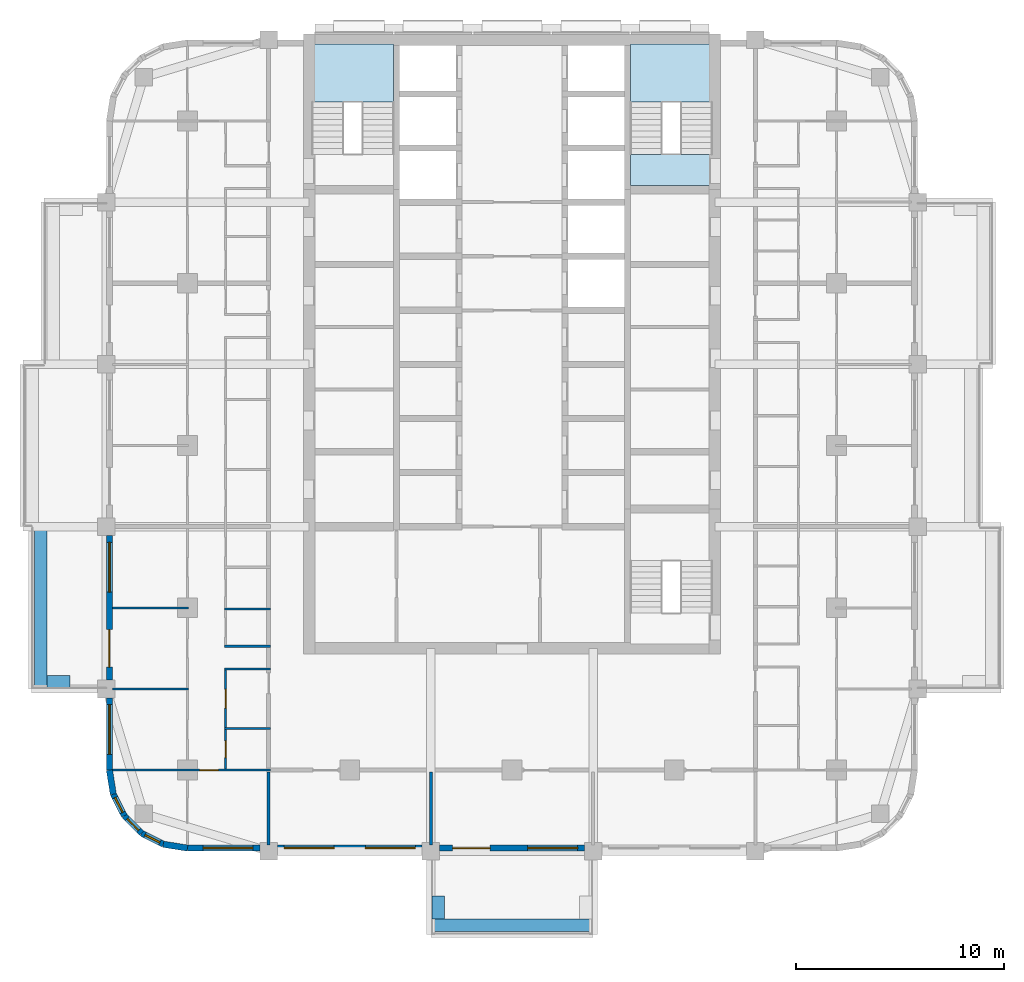
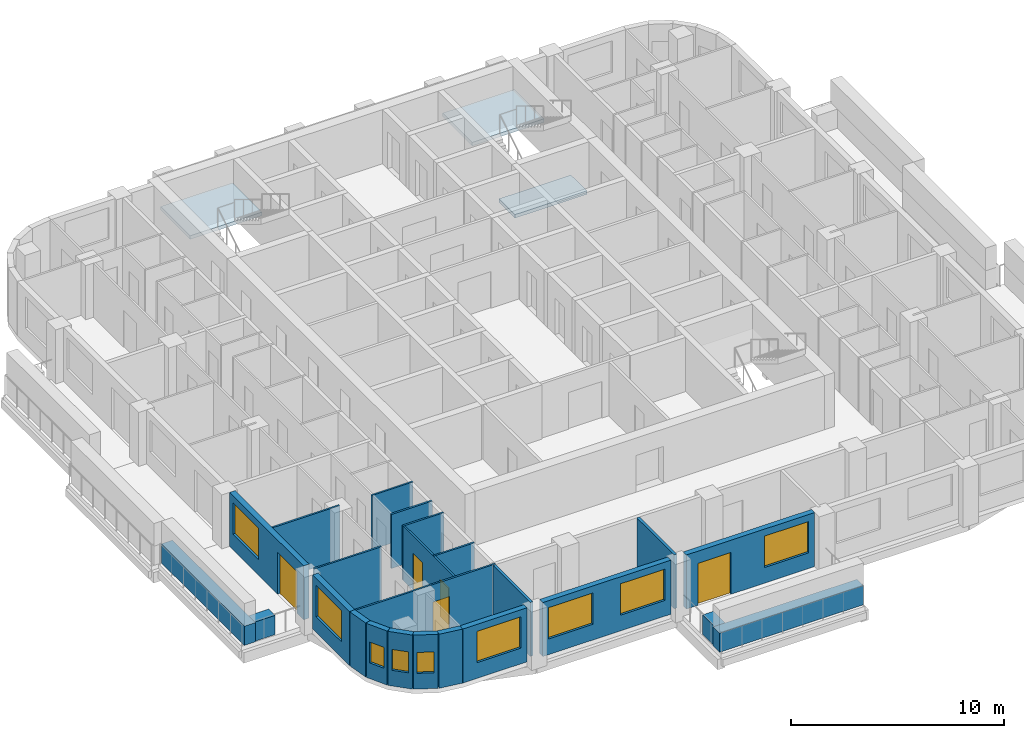
# One storey, part 2 of 14: 24 walls, 9 windows, 5 doors, 3 slabs, 14 openings, 2 elements without a shape of their own.
"""IFC4 building model written with IfcOpenShell, lengths in metres."""

from ifc_helpers import new_model, si_unit, direction, frame, frame_2d, origin, place, context, subcontext, project, spatial, polyline, rectangle, outline, extrude, material, layer, layer_set, type_object, element, fill, aggregate, save


model = new_model("IFC4")

# Units and contexts
model_context = context("Model", 3, precision=1e-05, world=origin(), true_north=direction((0.0, 1.0)))
body_context = subcontext(model_context, "Body", "Model", "MODEL_VIEW")
ifc_project = project(units=[si_unit("LENGTHUNIT", "METRE"), si_unit("AREAUNIT", "SQUARE_METRE"), si_unit("VOLUMEUNIT", "CUBIC_METRE"), si_unit("PLANEANGLEUNIT", "RADIAN"), si_unit("MASSUNIT", "GRAM", prefix="KILO")], contexts=[model_context])

# Site, building, storey
site_placement = place(None, origin())
site = spatial("IfcSite", under=ifc_project, at=site_placement, CompositionType="ELEMENT")
building_placement = place(site_placement, origin())
building = spatial("IfcBuilding", under=site, at=building_placement, Name="Ludao Terraces", CompositionType="ELEMENT")
storey_placement = place(building_placement, frame((0.0, 0.0, 140.699951171875)))
storey = spatial("IfcBuildingStorey", under=building, at=storey_placement, Name="L38", CompositionType="ELEMENT", Elevation=140.699951171875)

# Stair, slab
ifc_material_1 = material(Name="Concrete C40", Category="concrete")
stair_type = type_object("IfcStairType", Name="INT Stair", PredefinedType="HALF_TURN_STAIR", material=ifc_material_1)
stair_1_placement = place(storey_placement, origin())
stair_1 = element("IfcStair", 1, at=stair_1_placement, inside=storey, type_object=stair_type, Name="EXIT STAIR 1", PredefinedType="HALF_TURN_STAIR")
ifc_layer_1 = layer(ifc_material_1, 0.199951171875)
ifc_layer_set_1 = layer_set([ifc_layer_1], Name="INT Stair landing 200")
slab_type = type_object("IfcSlabType", Name="INT Stair landing 200", PredefinedType="LANDING", material=ifc_layer_set_1)
slab_1_placement = place(storey_placement, frame((0.0, 0.0, 1.5)))
slab_1 = element("IfcSlab", 2, at=slab_1_placement, type_object=slab_type, Name="ST1 landing 1", PredefinedType="LANDING", context=body_context, shape_type="SweptSolid", body=[
    extrude(outline(polyline([(75.39990234375, 81.52001953125), (79.300048828125, 81.52001953125), (79.300048828125, 84.300048828125), (75.39990234375, 84.300048828125), (75.39990234375, 81.52001953125)])), origin(), (0.0, 0.0, 1.0), 0.199951171875),
])
aggregate(stair_1, [slab_1])

# Stair, slabs
stair_2_placement = place(storey_placement, origin())
stair_2 = element("IfcStair", 3, at=stair_2_placement, inside=storey, type_object=stair_type, Name="EXIT STAIR 2", PredefinedType="HALF_TURN_STAIR")
slab_2_placement = place(storey_placement, frame((0.0, 0.0, 1.5)))
slab_2 = element("IfcSlab", 4, at=slab_2_placement, type_object=slab_type, Name="ST2 landing 1", PredefinedType="LANDING", context=body_context, shape_type="SweptSolid", body=[
    extrude(outline(polyline([(90.699951171875, 81.52001953125), (94.60009765625, 81.52001953125), (94.60009765625, 84.300048828125), (90.699951171875, 84.300048828125), (90.699951171875, 81.52001953125)])), origin(), (0.0, 0.0, 1.0), 0.199951171875),
])
slab_3_placement = place(storey_placement, frame((0.0, 0.0, -0.199951171875)))
slab_3 = element("IfcSlab", 5, at=slab_3_placement, type_object=slab_type, Name="ST2 landing 2", PredefinedType="LANDING", context=body_context, shape_type="SweptSolid", body=[
    extrude(outline(polyline([(90.699951171875, 77.5), (94.60009765625, 77.5), (94.60009765625, 79.0), (90.699951171875, 79.0), (90.699951171875, 77.5)])), origin(), (0.0, 0.0, 1.0), 0.199951171875),
])
aggregate(stair_2, [slab_2, slab_3])

# Walls
ifc_layer_2 = layer(ifc_material_1, 0.60009765625)
ifc_layer_set_2 = layer_set([ifc_layer_2], Name="ENV Planter trough 600")
wall_type_1 = type_object("IfcWallType", Name="ENV Planter trough 600", PredefinedType="USERDEFINED", material=ifc_layer_set_2)
wall_1_placement = place(storey_placement, frame((81.10009765625, 41.949951171875, 0.0), z_axis=(0.0, 0.0, 1.0), x_axis=(1.0, 0.0, 0.0)))
element("IfcWall", 6, at=wall_1_placement, inside=storey, type_object=wall_type_1, Name="PL-L38-S1", ObjectType="PLANTER", PredefinedType="USERDEFINED", context=body_context, shape_type="SweptSolid", body=[
    extrude(rectangle(XDim=7.7998046875, YDim=0.60009765625, at=frame_2d((3.89990234375, 0.0))), origin(), (0.0, 0.0, 1.0), 1.10009765625),
])
wall_2_placement = place(storey_placement, frame((81.449951171875, 42.25, 0.0), z_axis=(0.0, 0.0, 1.0), x_axis=(0.0, 1.0, 0.0)))
element("IfcWall", 7, at=wall_2_placement, inside=storey, type_object=wall_type_1, Name="PL-L38-S1-SA", ObjectType="PLANTER", PredefinedType="USERDEFINED", context=body_context, shape_type="SweptSolid", body=[
    extrude(rectangle(XDim=1.10009765625, YDim=0.60009765625, at=frame_2d((0.550048828125, 0.0))), origin(), (0.0, 0.0, 1.0), 1.10009765625),
])
wall_3_placement = place(storey_placement, frame((62.35009765625, 53.300048828125, 0.0), z_axis=(0.0, 0.0, 1.0), x_axis=(0.0, 1.0, 0.0)))
element("IfcWall", 8, at=wall_3_placement, inside=storey, type_object=wall_type_1, Name="PL-L38-W1", ObjectType="PLANTER", PredefinedType="USERDEFINED", context=body_context, shape_type="SweptSolid", body=[
    extrude(rectangle(XDim=7.800048828125, YDim=0.60009765625, at=frame_2d((3.89990234375, 0.0))), origin(), (0.0, 0.0, 1.0), 1.10009765625),
])
wall_4_placement = place(storey_placement, frame((62.64990234375, 53.64990234375, 0.0), z_axis=(0.0, 0.0, 1.0), x_axis=(1.0, 0.0, 0.0)))
element("IfcWall", 9, at=wall_4_placement, inside=storey, type_object=wall_type_1, Name="PL-L38-W1-SA", ObjectType="PLANTER", PredefinedType="USERDEFINED", context=body_context, shape_type="SweptSolid", body=[
    extrude(rectangle(XDim=1.10009765625, YDim=0.60009765625, at=frame_2d((0.550048828125, 0.0))), origin(), (0.0, 0.0, 1.0), 1.10009765625),
])

# Wall, opening, window
ifc_material_2 = material(Name="Granite cladding", Category="masonry")
ifc_layer_3 = layer(ifc_material_2, 0.0400390625, Category="stone")
ifc_material_3 = material(Name="Mineral wool")
ifc_layer_4 = layer(ifc_material_3, 0.06005859375)
ifc_layer_5 = layer(ifc_material_1, 0.199951171875, Category="concrete")
ifc_layer_set_3 = layer_set([ifc_layer_3, ifc_layer_4, ifc_layer_5], Name="ENV Stone-clad wall 300")
wall_type_2 = type_object("IfcWallType", Name="ENV Stone-clad wall 300", PredefinedType="SOLIDWALL", material=ifc_layer_set_3)
wall_5_placement = place(storey_placement, frame((69.39990234375, 45.64990234375, 0.0), z_axis=(0.0, 0.0, 1.0), x_axis=(1.0, 0.0, 0.0)))
wall_5 = element("IfcWall", 10, at=wall_5_placement, inside=storey, type_object=wall_type_2, Name="EW-L38-S1", PredefinedType="SOLIDWALL", context=body_context, shape_type="SweptSolid", body=[
    extrude(rectangle(XDim=3.47509765625, YDim=0.300048828125, at=frame_2d((1.737548828125, 0.0))), origin(), (0.0, 0.0, 1.0), 3.10009765625),
])
opening_1_placement = place(wall_5_placement, frame((0.75, 0.0, 0.89990234375)))
opening_1 = element("IfcOpeningElement", 11, at=opening_1_placement, cuts=wall_5, Name="Opening W1", PredefinedType="OPENING", context=body_context, shape_type="SweptSolid", body=[
    extrude(rectangle(XDim=2.39990234375, YDim=1.800048828125, at=frame_2d((1.199951171875, 0.89990234375))), frame((0.0, 0.16015625, 0.0), z_axis=(0.0, -1.0, 0.0), x_axis=(1.0, 0.0, 0.0)), (0.0, 0.0, 1.0), 0.320068359375),
])
ifc_material_4 = material(Name="Clear glass in aluminium frame", Category="aluminium")
ifc_layer_6 = layer(ifc_material_4, 0.06005859375)
ifc_layer_set_4 = layer_set([ifc_layer_6], Name="ENV Window W1 2400x1800")
window_type_1 = type_object("IfcWindowType", Name="ENV Window W1 2400x1800", PartitioningType="DOUBLE_PANEL_VERTICAL", PredefinedType="WINDOW", material=ifc_layer_set_4)
window_1_placement = place(opening_1_placement, origin())
window_1 = element("IfcWindow", 12, at=window_1_placement, inside=storey, type_object=window_type_1, Name="W-L38-S1-1", OverallHeight=1.800048828125, OverallWidth=2.39990234375, PartitioningType="DOUBLE_PANEL_VERTICAL", PredefinedType="WINDOW", context=body_context, shape_type="SweptSolid", body=[
    extrude(rectangle(XDim=2.39990234375, YDim=1.800048828125, at=frame_2d((1.199951171875, 0.89990234375))), frame((0.0, 0.030029296875, 0.0), z_axis=(0.0, -1.0, 0.0), x_axis=(1.0, 0.0, 0.0)), (0.0, 0.0, 1.0), 0.06005859375),
])
fill(opening_1, window_1)

# Wall, openings, windows
wall_6_placement = place(storey_placement, frame((73.72509765625, 45.64990234375, 0.0), z_axis=(0.0, 0.0, 1.0), x_axis=(1.0, 0.0, 0.0)))
wall_6 = element("IfcWall", 13, at=wall_6_placement, inside=storey, type_object=wall_type_2, Name="EW-L38-S2", PredefinedType="SOLIDWALL", context=body_context, shape_type="SweptSolid", body=[
    extrude(rectangle(XDim=6.949951171875, YDim=0.300048828125, at=frame_2d((3.47509765625, 0.0))), origin(), (0.0, 0.0, 1.0), 3.10009765625),
])
opening_2_placement = place(wall_6_placement, frame((0.324951171875, 0.0, 0.89990234375)))
opening_2 = element("IfcOpeningElement", 14, at=opening_2_placement, cuts=wall_6, Name="Opening W1", PredefinedType="OPENING", context=body_context, shape_type="SweptSolid", body=[
    extrude(rectangle(XDim=2.39990234375, YDim=1.800048828125, at=frame_2d((1.199951171875, 0.89990234375))), frame((0.0, 0.16015625, 0.0), z_axis=(0.0, -1.0, 0.0), x_axis=(1.0, 0.0, 0.0)), (0.0, 0.0, 1.0), 0.320068359375),
])
opening_3_placement = place(wall_6_placement, frame((4.22509765625, 0.0, 0.89990234375)))
opening_3 = element("IfcOpeningElement", 15, at=opening_3_placement, cuts=wall_6, Name="Opening W1", PredefinedType="OPENING", context=body_context, shape_type="SweptSolid", body=[
    extrude(rectangle(XDim=2.39990234375, YDim=1.800048828125, at=frame_2d((1.199951171875, 0.89990234375))), frame((0.0, 0.16015625, 0.0), z_axis=(0.0, -1.0, 0.0), x_axis=(1.0, 0.0, 0.0)), (0.0, 0.0, 1.0), 0.320068359375),
])
window_2_placement = place(opening_2_placement, origin())
window_2 = element("IfcWindow", 16, at=window_2_placement, inside=storey, type_object=window_type_1, Name="W-L38-S2-1", OverallHeight=1.800048828125, OverallWidth=2.39990234375, PartitioningType="DOUBLE_PANEL_VERTICAL", PredefinedType="WINDOW", context=body_context, shape_type="SweptSolid", body=[
    extrude(rectangle(XDim=2.39990234375, YDim=1.800048828125, at=frame_2d((1.199951171875, 0.89990234375))), frame((0.0, 0.030029296875, 0.0), z_axis=(0.0, -1.0, 0.0), x_axis=(1.0, 0.0, 0.0)), (0.0, 0.0, 1.0), 0.06005859375),
])
fill(opening_2, window_2)
window_3_placement = place(opening_3_placement, origin())
window_3 = element("IfcWindow", 17, at=window_3_placement, inside=storey, type_object=window_type_1, Name="W-L38-S2-2", OverallHeight=1.800048828125, OverallWidth=2.39990234375, PartitioningType="DOUBLE_PANEL_VERTICAL", PredefinedType="WINDOW", context=body_context, shape_type="SweptSolid", body=[
    extrude(rectangle(XDim=2.39990234375, YDim=1.800048828125, at=frame_2d((1.199951171875, 0.89990234375))), frame((0.0, 0.030029296875, 0.0), z_axis=(0.0, -1.0, 0.0), x_axis=(1.0, 0.0, 0.0)), (0.0, 0.0, 1.0), 0.06005859375),
])
fill(opening_3, window_3)

# Wall, openings, door, window
wall_7_placement = place(storey_placement, frame((81.52490234375, 45.64990234375, 0.0), z_axis=(0.0, 0.0, 1.0), x_axis=(1.0, 0.0, 0.0)))
wall_7 = element("IfcWall", 18, at=wall_7_placement, inside=storey, type_object=wall_type_2, Name="EW-L38-S3", PredefinedType="SOLIDWALL", context=body_context, shape_type="SweptSolid", body=[
    extrude(rectangle(XDim=6.9501953125, YDim=0.300048828125, at=frame_2d((3.47509765625, 0.0))), origin(), (0.0, 0.0, 1.0), 3.10009765625),
])
opening_4_placement = place(wall_7_placement, frame((0.625, 0.0, 0.0)))
opening_4 = element("IfcOpeningElement", 19, at=opening_4_placement, cuts=wall_7, Name="Opening BD", PredefinedType="OPENING", context=body_context, shape_type="SweptSolid", body=[
    extrude(rectangle(XDim=1.800048828125, YDim=2.39990234375, at=frame_2d((0.89990234375, 1.199951171875))), frame((0.0, 0.16015625, 0.0), z_axis=(0.0, -1.0, 0.0), x_axis=(1.0, 0.0, 0.0)), (0.0, 0.0, 1.0), 0.320068359375),
])
opening_5_placement = place(wall_7_placement, frame((4.22509765625, 0.0, 0.89990234375)))
opening_5 = element("IfcOpeningElement", 20, at=opening_5_placement, cuts=wall_7, Name="Opening W1", PredefinedType="OPENING", context=body_context, shape_type="SweptSolid", body=[
    extrude(rectangle(XDim=2.39990234375, YDim=1.800048828125, at=frame_2d((1.199951171875, 0.89990234375))), frame((0.0, 0.16015625, 0.0), z_axis=(0.0, -1.0, 0.0), x_axis=(1.0, 0.0, 0.0)), (0.0, 0.0, 1.0), 0.320068359375),
])
ifc_material_5 = material(Name="Aluminium glazed door", Category="aluminium")
ifc_layer_7 = layer(ifc_material_5, 0.06005859375)
ifc_layer_set_5 = layer_set([ifc_layer_7], Name="ENV Balcony door BD 1800x2400")
door_type_1 = type_object("IfcDoorType", Name="ENV Balcony door BD 1800x2400", OperationType="DOUBLE_DOOR_SINGLE_SWING", PredefinedType="DOOR", material=ifc_layer_set_5)
door_1_placement = place(opening_4_placement, origin())
door_1 = element("IfcDoor", 21, at=door_1_placement, inside=storey, type_object=door_type_1, Name="BD-L38-S3-1", OperationType="DOUBLE_DOOR_SINGLE_SWING", OverallHeight=2.39990234375, OverallWidth=1.800048828125, PredefinedType="DOOR", context=body_context, shape_type="SweptSolid", body=[
    extrude(rectangle(XDim=1.800048828125, YDim=2.39990234375, at=frame_2d((0.89990234375, 1.199951171875))), frame((0.0, 0.02490234375, 0.0), z_axis=(0.0, -1.0, 0.0), x_axis=(1.0, 0.0, 0.0)), (0.0, 0.0, 1.0), 0.050048828125),
])
fill(opening_4, door_1)
window_4_placement = place(opening_5_placement, origin())
window_4 = element("IfcWindow", 22, at=window_4_placement, inside=storey, type_object=window_type_1, Name="W-L38-S3-2", OverallHeight=1.800048828125, OverallWidth=2.39990234375, PartitioningType="DOUBLE_PANEL_VERTICAL", PredefinedType="WINDOW", context=body_context, shape_type="SweptSolid", body=[
    extrude(rectangle(XDim=2.39990234375, YDim=1.800048828125, at=frame_2d((1.199951171875, 0.89990234375))), frame((0.0, 0.030029296875, 0.0), z_axis=(0.0, -1.0, 0.0), x_axis=(1.0, 0.0, 0.0)), (0.0, 0.0, 1.0), 0.06005859375),
])
fill(opening_5, window_4)

# Wall, opening, window
wall_8_placement = place(storey_placement, frame((65.64990234375, 49.39990234375, 0.0), z_axis=(0.0, 0.0, 1.0), x_axis=(0.0, 1.0, 0.0)))
wall_8 = element("IfcWall", 23, at=wall_8_placement, inside=storey, type_object=wall_type_2, Name="EW-L38-W1", PredefinedType="SOLIDWALL", context=body_context, shape_type="SweptSolid", body=[
    extrude(rectangle(XDim=3.47509765625, YDim=0.300048828125, at=frame_2d((1.737548828125, 0.0))), origin(), (0.0, 0.0, 1.0), 3.10009765625),
])
opening_6_placement = place(wall_8_placement, frame((0.75, 0.0, 0.89990234375)))
opening_6 = element("IfcOpeningElement", 24, at=opening_6_placement, cuts=wall_8, Name="Opening W1", PredefinedType="OPENING", context=body_context, shape_type="SweptSolid", body=[
    extrude(rectangle(XDim=2.39990234375, YDim=1.800048828125, at=frame_2d((1.199951171875, 0.89990234375))), frame((0.0, 0.16015625, 0.0), z_axis=(0.0, -1.0, 0.0), x_axis=(1.0, 0.0, 0.0)), (0.0, 0.0, 1.0), 0.320068359375),
])
window_5_placement = place(opening_6_placement, origin())
window_5 = element("IfcWindow", 25, at=window_5_placement, inside=storey, type_object=window_type_1, Name="W-L38-W1-1", OverallHeight=1.800048828125, OverallWidth=2.39990234375, PartitioningType="DOUBLE_PANEL_VERTICAL", PredefinedType="WINDOW", context=body_context, shape_type="SweptSolid", body=[
    extrude(rectangle(XDim=2.39990234375, YDim=1.800048828125, at=frame_2d((1.199951171875, 0.89990234375))), frame((0.0, 0.030029296875, 0.0), z_axis=(0.0, -1.0, 0.0), x_axis=(1.0, 0.0, 0.0)), (0.0, 0.0, 1.0), 0.06005859375),
])
fill(opening_6, window_5)

# Wall, openings, door, window
wall_9_placement = place(storey_placement, frame((65.64990234375, 53.72509765625, 0.0), z_axis=(0.0, 0.0, 1.0), x_axis=(0.0, 1.0, 0.0)))
wall_9 = element("IfcWall", 26, at=wall_9_placement, inside=storey, type_object=wall_type_2, Name="EW-L38-W2", PredefinedType="SOLIDWALL", context=body_context, shape_type="SweptSolid", body=[
    extrude(rectangle(XDim=6.949951171875, YDim=0.300048828125, at=frame_2d((3.47509765625, 0.0))), origin(), (0.0, 0.0, 1.0), 3.10009765625),
])
opening_7_placement = place(wall_9_placement, frame((0.625, 0.0, 0.0)))
opening_7 = element("IfcOpeningElement", 27, at=opening_7_placement, cuts=wall_9, Name="Opening BD", PredefinedType="OPENING", context=body_context, shape_type="SweptSolid", body=[
    extrude(rectangle(XDim=1.800048828125, YDim=2.39990234375, at=frame_2d((0.89990234375, 1.199951171875))), frame((0.0, 0.16015625, 0.0), z_axis=(0.0, -1.0, 0.0), x_axis=(1.0, 0.0, 0.0)), (0.0, 0.0, 1.0), 0.320068359375),
])
opening_8_placement = place(wall_9_placement, frame((4.22509765625, 0.0, 0.89990234375)))
opening_8 = element("IfcOpeningElement", 28, at=opening_8_placement, cuts=wall_9, Name="Opening W1", PredefinedType="OPENING", context=body_context, shape_type="SweptSolid", body=[
    extrude(rectangle(XDim=2.39990234375, YDim=1.800048828125, at=frame_2d((1.199951171875, 0.89990234375))), frame((0.0, 0.16015625, 0.0), z_axis=(0.0, -1.0, 0.0), x_axis=(1.0, 0.0, 0.0)), (0.0, 0.0, 1.0), 0.320068359375),
])
door_2_placement = place(opening_7_placement, origin())
door_2 = element("IfcDoor", 29, at=door_2_placement, inside=storey, type_object=door_type_1, Name="BD-L38-W2-1", OperationType="DOUBLE_DOOR_SINGLE_SWING", OverallHeight=2.39990234375, OverallWidth=1.800048828125, PredefinedType="DOOR", context=body_context, shape_type="SweptSolid", body=[
    extrude(rectangle(XDim=1.800048828125, YDim=2.39990234375, at=frame_2d((0.89990234375, 1.199951171875))), frame((0.0, 0.02490234375, 0.0), z_axis=(0.0, -1.0, 0.0), x_axis=(1.0, 0.0, 0.0)), (0.0, 0.0, 1.0), 0.050048828125),
])
fill(opening_7, door_2)
window_6_placement = place(opening_8_placement, origin())
window_6 = element("IfcWindow", 30, at=window_6_placement, inside=storey, type_object=window_type_1, Name="W-L38-W2-2", OverallHeight=1.800048828125, OverallWidth=2.39990234375, PartitioningType="DOUBLE_PANEL_VERTICAL", PredefinedType="WINDOW", context=body_context, shape_type="SweptSolid", body=[
    extrude(rectangle(XDim=2.39990234375, YDim=1.800048828125, at=frame_2d((1.199951171875, 0.89990234375))), frame((0.0, 0.030029296875, 0.0), z_axis=(0.0, -1.0, 0.0), x_axis=(1.0, 0.0, 0.0)), (0.0, 0.0, 1.0), 0.06005859375),
])
fill(opening_8, window_6)

# Wall
wall_10_placement = place(storey_placement, frame((65.64990234375, 49.39990234375, 0.0), z_axis=(0.0, 0.0, 1.0), x_axis=(0.156496880861, -0.987678452879, 0.0)))
element("IfcWall", 31, at=wall_10_placement, inside=storey, type_object=wall_type_2, Name="EW-L38-SW1", PredefinedType="SOLIDWALL", context=body_context, shape_type="SweptSolid", body=[
    extrude(rectangle(XDim=1.173095703125, YDim=0.300048828125, at=frame_2d((0.58642578125, 0.0))), origin(), (0.0, 0.0, 1.0), 3.10009765625),
])

# Wall, opening, window
wall_11_placement = place(storey_placement, frame((65.83349609375, 48.2412109375, 0.0), z_axis=(0.0, 0.0, 1.0), x_axis=(0.454025524128, -0.890988677504, 0.0)))
wall_11 = element("IfcWall", 32, at=wall_11_placement, inside=storey, type_object=wall_type_2, Name="EW-L38-SW2", PredefinedType="SOLIDWALL", context=body_context, shape_type="SweptSolid", body=[
    extrude(rectangle(XDim=1.17333984375, YDim=0.300048828125, at=frame_2d((0.586669921875, 0.0))), origin(), (0.0, 0.0, 1.0), 3.10009765625),
])
opening_9_placement = place(wall_11_placement, frame((0.1865234375, 0.0, 0.89990234375)))
opening_9 = element("IfcOpeningElement", 33, at=opening_9_placement, cuts=wall_11, Name="Opening W3", PredefinedType="OPENING", context=body_context, shape_type="SweptSolid", body=[
    extrude(rectangle(XDim=0.800048828125, YDim=1.199951171875, at=frame_2d((0.39990234375, 0.60009765625))), frame((0.0, 0.16015625, 0.0), z_axis=(0.0, -1.0, 0.0), x_axis=(1.0, 0.0, 0.0)), (0.0, 0.0, 1.0), 0.320068359375),
])
ifc_layer_8 = layer(ifc_material_4, 0.06005859375)
ifc_layer_set_6 = layer_set([ifc_layer_8], Name="ENV Window W3 800x1200")
window_type_2 = type_object("IfcWindowType", Name="ENV Window W3 800x1200", PartitioningType="SINGLE_PANEL", PredefinedType="WINDOW", material=ifc_layer_set_6)
window_7_placement = place(opening_9_placement, origin())
window_7 = element("IfcWindow", 34, at=window_7_placement, inside=storey, type_object=window_type_2, Name="W-L38-SW2", OverallHeight=1.199951171875, OverallWidth=0.800048828125, PartitioningType="SINGLE_PANEL", PredefinedType="WINDOW", context=body_context, shape_type="SweptSolid", body=[
    extrude(rectangle(XDim=0.800048828125, YDim=1.199951171875, at=frame_2d((0.39990234375, 0.60009765625))), frame((0.0, 0.030029296875, 0.0), z_axis=(0.0, -1.0, 0.0), x_axis=(1.0, 0.0, 0.0)), (0.0, 0.0, 1.0), 0.06005859375),
])
fill(opening_9, window_7)

wall_12_placement = place(storey_placement, frame((66.3662109375, 47.19580078125, 0.0), z_axis=(0.0, 0.0, 1.0), x_axis=(0.707106781187, -0.707106781187, 0.0)))
wall_12 = element("IfcWall", 35, at=wall_12_placement, inside=storey, type_object=wall_type_2, Name="EW-L38-SW3", PredefinedType="SOLIDWALL", context=body_context, shape_type="SweptSolid", body=[
    extrude(rectangle(XDim=1.173095703125, YDim=0.300048828125, at=frame_2d((0.58642578125, 0.0))), origin(), (0.0, 0.0, 1.0), 3.10009765625),
])
opening_10_placement = place(wall_12_placement, frame((0.1865234375, 0.0, 0.89990234375)))
opening_10 = element("IfcOpeningElement", 36, at=opening_10_placement, cuts=wall_12, Name="Opening W3", PredefinedType="OPENING", context=body_context, shape_type="SweptSolid", body=[
    extrude(rectangle(XDim=0.800048828125, YDim=1.199951171875, at=frame_2d((0.39990234375, 0.60009765625))), frame((0.0, 0.16015625, 0.0), z_axis=(0.0, -1.0, 0.0), x_axis=(1.0, 0.0, 0.0)), (0.0, 0.0, 1.0), 0.320068359375),
])
window_8_placement = place(opening_10_placement, origin())
window_8 = element("IfcWindow", 37, at=window_8_placement, inside=storey, type_object=window_type_2, Name="W-L38-SW3", OverallHeight=1.199951171875, OverallWidth=0.800048828125, PartitioningType="SINGLE_PANEL", PredefinedType="WINDOW", context=body_context, shape_type="SweptSolid", body=[
    extrude(rectangle(XDim=0.800048828125, YDim=1.199951171875, at=frame_2d((0.39990234375, 0.60009765625))), frame((0.0, 0.030029296875, 0.0), z_axis=(0.0, -1.0, 0.0), x_axis=(1.0, 0.0, 0.0)), (0.0, 0.0, 1.0), 0.06005859375),
])
fill(opening_10, window_8)

wall_13_placement = place(storey_placement, frame((67.19580078125, 46.3662109375, 0.0), z_axis=(0.0, 0.0, 1.0), x_axis=(0.890988677504, -0.454025524128, 0.0)))
wall_13 = element("IfcWall", 38, at=wall_13_placement, inside=storey, type_object=wall_type_2, Name="EW-L38-SW4", PredefinedType="SOLIDWALL", context=body_context, shape_type="SweptSolid", body=[
    extrude(rectangle(XDim=1.17333984375, YDim=0.300048828125, at=frame_2d((0.586669921875, 0.0))), origin(), (0.0, 0.0, 1.0), 3.10009765625),
])
opening_11_placement = place(wall_13_placement, frame((0.1865234375, 0.0, 0.89990234375)))
opening_11 = element("IfcOpeningElement", 39, at=opening_11_placement, cuts=wall_13, Name="Opening W3", PredefinedType="OPENING", context=body_context, shape_type="SweptSolid", body=[
    extrude(rectangle(XDim=0.800048828125, YDim=1.199951171875, at=frame_2d((0.39990234375, 0.60009765625))), frame((0.0, 0.16015625, 0.0), z_axis=(0.0, -1.0, 0.0), x_axis=(1.0, 0.0, 0.0)), (0.0, 0.0, 1.0), 0.320068359375),
])
window_9_placement = place(opening_11_placement, origin())
window_9 = element("IfcWindow", 40, at=window_9_placement, inside=storey, type_object=window_type_2, Name="W-L38-SW4", OverallHeight=1.199951171875, OverallWidth=0.800048828125, PartitioningType="SINGLE_PANEL", PredefinedType="WINDOW", context=body_context, shape_type="SweptSolid", body=[
    extrude(rectangle(XDim=0.800048828125, YDim=1.199951171875, at=frame_2d((0.39990234375, 0.60009765625))), frame((0.0, 0.030029296875, 0.0), z_axis=(0.0, -1.0, 0.0), x_axis=(1.0, 0.0, 0.0)), (0.0, 0.0, 1.0), 0.06005859375),
])
fill(opening_11, window_9)

# Wall
wall_14_placement = place(storey_placement, frame((68.2412109375, 45.83349609375, 0.0), z_axis=(0.0, 0.0, 1.0), x_axis=(0.987678452879, -0.156496880861, 0.0)))
element("IfcWall", 41, at=wall_14_placement, inside=storey, type_object=wall_type_2, Name="EW-L38-SW5", PredefinedType="SOLIDWALL", context=body_context, shape_type="SweptSolid", body=[
    extrude(rectangle(XDim=1.173095703125, YDim=0.300048828125, at=frame_2d((0.58642578125, 0.0))), origin(), (0.0, 0.0, 1.0), 3.10009765625),
])

# Wall, opening, door
ifc_material_6 = material(Name="Gypsum plasterboard", Category="gypsum")
ifc_layer_9 = layer(ifc_material_6, 0.012451171875, Category="gypsum")
ifc_layer_10 = layer(ifc_material_3, 0.06005859375, Name="insulation")
ifc_material_7 = material(Name="Steel Q235", Category="steel")
ifc_layer_11 = layer(ifc_material_7, 0.014892578125, Name="stud")
ifc_layer_12 = layer(ifc_material_6, 0.012451171875, Category="gypsum")
ifc_layer_set_7 = layer_set([ifc_layer_9, ifc_layer_10, ifc_layer_11, ifc_layer_12], Name="INT Partition 100")
wall_type_3 = type_object("IfcWallType", Name="INT Partition 100", PredefinedType="PARTITIONING", material=ifc_layer_set_7)
wall_15_placement = place(storey_placement, frame((65.800048828125, 49.39990234375, 0.0), z_axis=(0.0, 0.0, 1.0), x_axis=(1.0, 0.0, 0.0)))
wall_15 = element("IfcWall", 42, at=wall_15_placement, inside=storey, type_object=wall_type_3, Name="PW-L38-PW000", PredefinedType="PARTITIONING", context=body_context, shape_type="SweptSolid", body=[
    extrude(rectangle(XDim=7.60009765625, YDim=0.10009765625, at=frame_2d((3.800048828125, 0.0))), origin(), (0.0, 0.0, 1.0), 3.10009765625),
])
opening_12_placement = place(wall_15_placement, frame((4.18994140625, 0.0, 0.0)))
opening_12 = element("IfcOpeningElement", 43, at=opening_12_placement, cuts=wall_15, Name="Opening R13-003", PredefinedType="OPENING", context=body_context, shape_type="SweptSolid", body=[
    extrude(rectangle(XDim=0.89990234375, YDim=2.10009765625, at=frame_2d((0.449951171875, 1.050048828125))), frame((0.0, 0.06005859375, 0.0), z_axis=(0.0, -1.0, 0.0), x_axis=(1.0, 0.0, 0.0)), (0.0, 0.0, 1.0), 0.1201171875),
])
ifc_material_8 = material(Name="Timber door leaf", Category="wood")
door_type_2 = type_object("IfcDoorType", Name="INT Room door 900", OperationType="SINGLE_SWING_LEFT", PredefinedType="DOOR", material=ifc_material_8)
door_3_placement = place(opening_12_placement, origin())
door_3 = element("IfcDoor", 44, at=door_3_placement, inside=storey, type_object=door_type_2, Name="DOOR 003", OperationType="SINGLE_SWING_RIGHT", OverallHeight=2.10009765625, OverallWidth=0.89990234375, PredefinedType="DOOR", context=body_context, shape_type="SweptSolid", body=[
    extrude(rectangle(XDim=0.89990234375, YDim=2.10009765625, at=frame_2d((0.449951171875, 1.050048828125))), frame((0.0, 0.02490234375, 0.0), z_axis=(0.0, -1.0, 0.0), x_axis=(1.0, 0.0, 0.0)), (0.0, 0.0, 1.0), 0.050048828125),
])
fill(opening_12, door_3)

# Walls
wall_16_placement = place(storey_placement, frame((71.18017578125, 51.39990234375, 0.0), z_axis=(0.0, 0.0, 1.0), x_axis=(1.0, 0.0, 0.0)))
element("IfcWall", 45, at=wall_16_placement, inside=storey, type_object=wall_type_3, Name="PW-L38-PW003", PredefinedType="PARTITIONING", context=body_context, shape_type="SweptSolid", body=[
    extrude(rectangle(XDim=2.219970703125, YDim=0.10009765625, at=frame_2d((1.10986328125, 0.0))), origin(), (0.0, 0.0, 1.0), 3.10009765625),
])
wall_17_placement = place(storey_placement, frame((65.800048828125, 53.300048828125, 0.0), z_axis=(0.0, 0.0, 1.0), x_axis=(1.0, 0.0, 0.0)))
element("IfcWall", 46, at=wall_17_placement, inside=storey, type_object=wall_type_3, Name="PW-L38-PW005", PredefinedType="PARTITIONING", context=body_context, shape_type="SweptSolid", body=[
    extrude(rectangle(XDim=3.650146484375, YDim=0.10009765625, at=frame_2d((1.8251953125, 0.0))), origin(), (0.0, 0.0, 1.0), 3.10009765625),
])
for number, where, z_axis, x_axis, name in (
    (47, (71.18017578125, 54.25, 0.0), (0.0, 0.0, 1.0), (1.0, 0.0, 0.0), "PW-L38-PW007"),
    (48, (71.18017578125, 55.35009765625, 0.0), (0.0, 0.0, 1.0), (1.0, 0.0, 0.0), "PW-L38-PW009"),
    (49, (71.18017578125, 57.14990234375, 0.0), (0.0, 0.0, 1.0), (1.0, 0.0, 0.0), "PW-L38-PW011"),
):
    element("IfcWall", number, at=place(storey_placement, frame(where, z_axis=z_axis, x_axis=x_axis)), inside=storey, type_object=wall_type_3, Name=name, PredefinedType="PARTITIONING", context=body_context, shape_type="SweptSolid", body=[
        extrude(rectangle(XDim=2.219970703125, YDim=0.10009765625, at=frame_2d((1.10986328125, 0.0))), origin(), (0.0, 0.0, 1.0), 3.10009765625),
    ])
wall_18_placement = place(storey_placement, frame((65.800048828125, 57.199951171875, 0.0), z_axis=(0.0, 0.0, 1.0), x_axis=(1.0, 0.0, 0.0)))
element("IfcWall", 50, at=wall_18_placement, inside=storey, type_object=wall_type_3, Name="PW-L38-PW012", PredefinedType="PARTITIONING", context=body_context, shape_type="SweptSolid", body=[
    extrude(rectangle(XDim=3.650146484375, YDim=0.10009765625, at=frame_2d((1.8251953125, 0.0))), origin(), (0.0, 0.0, 1.0), 3.10009765625),
])

# Wall, openings, doors
wall_19_placement = place(storey_placement, frame((71.22998046875, 49.4501953125, 0.0), z_axis=(0.0, 0.0, 1.0), x_axis=(0.0, 1.0, 0.0)))
wall_19 = element("IfcWall", 51, at=wall_19_placement, inside=storey, type_object=wall_type_3, Name="PW-L38-PW052", PredefinedType="PARTITIONING", context=body_context, shape_type="SweptSolid", body=[
    extrude(rectangle(XDim=4.75, YDim=0.10009765625, at=frame_2d((2.375, 0.0))), origin(), (0.0, 0.0, 1.0), 3.10009765625),
])
opening_13_placement = place(wall_19_placement, frame((0.5498046875, 0.0, 0.0)))
opening_13 = element("IfcOpeningElement", 52, at=opening_13_placement, cuts=wall_19, Name="Opening R13-008", PredefinedType="OPENING", context=body_context, shape_type="SweptSolid", body=[
    extrude(rectangle(XDim=0.800048828125, YDim=2.10009765625, at=frame_2d((0.39990234375, 1.050048828125))), frame((0.0, 0.06005859375, 0.0), z_axis=(0.0, -1.0, 0.0), x_axis=(1.0, 0.0, 0.0)), (0.0, 0.0, 1.0), 0.1201171875),
])
opening_14_placement = place(wall_19_placement, frame((2.9248046875, 0.0, 0.0)))
opening_14 = element("IfcOpeningElement", 53, at=opening_14_placement, cuts=wall_19, Name="Opening R13-012", PredefinedType="OPENING", context=body_context, shape_type="SweptSolid", body=[
    extrude(rectangle(XDim=0.89990234375, YDim=2.10009765625, at=frame_2d((0.449951171875, 1.050048828125))), frame((0.0, 0.06005859375, 0.0), z_axis=(0.0, -1.0, 0.0), x_axis=(1.0, 0.0, 0.0)), (0.0, 0.0, 1.0), 0.1201171875),
])
door_4_placement = place(opening_14_placement, origin())
door_4 = element("IfcDoor", 54, at=door_4_placement, inside=storey, type_object=door_type_2, Name="DOOR 012", OperationType="SINGLE_SWING_RIGHT", OverallHeight=2.10009765625, OverallWidth=0.89990234375, PredefinedType="DOOR", context=body_context, shape_type="SweptSolid", body=[
    extrude(rectangle(XDim=0.89990234375, YDim=2.10009765625, at=frame_2d((0.449951171875, 1.050048828125))), frame((0.0, 0.02490234375, 0.0), z_axis=(0.0, -1.0, 0.0), x_axis=(1.0, 0.0, 0.0)), (0.0, 0.0, 1.0), 0.050048828125),
])
fill(opening_14, door_4)
door_type_3 = type_object("IfcDoorType", Name="INT Store door 800", OperationType="SINGLE_SWING_LEFT", PredefinedType="DOOR", material=ifc_material_8)
door_5_placement = place(opening_13_placement, origin())
door_5 = element("IfcDoor", 55, at=door_5_placement, inside=storey, type_object=door_type_3, Name="DOOR 008", OperationType="SINGLE_SWING_RIGHT", OverallHeight=2.10009765625, OverallWidth=0.800048828125, PredefinedType="DOOR", context=body_context, shape_type="SweptSolid", body=[
    extrude(rectangle(XDim=0.800048828125, YDim=2.10009765625, at=frame_2d((0.39990234375, 1.050048828125))), frame((0.0, 0.02490234375, 0.0), z_axis=(0.0, -1.0, 0.0), x_axis=(1.0, 0.0, 0.0)), (0.0, 0.0, 1.0), 0.050048828125),
])
fill(opening_13, door_5)

# Walls
ifc_material_9 = material(Name="Autoclaved aerated concrete block B06 A3.5", Category="concrete")
ifc_layer_13 = layer(ifc_material_9, 0.14990234375)
ifc_layer_set_8 = layer_set([ifc_layer_13], Name="INT Party wall 150")
wall_type_4 = type_object("IfcWallType", Name="INT Party wall 150", PredefinedType="PARTITIONING", material=ifc_layer_set_8)
for number, where, z_axis, x_axis, name in (
    (56, (73.300048828125, 45.800048828125, 0.0), (0.0, 0.0, 1.0), (0.0, 1.0, 0.0), "PW-L38-PW056"),
    (57, (81.10009765625, 45.800048828125, 0.0), (0.0, 0.0, 1.0), (0.0, 1.0, 0.0), "PW-L38-PW059"),
):
    element("IfcWall", number, at=place(storey_placement, frame(where, z_axis=z_axis, x_axis=x_axis)), inside=storey, type_object=wall_type_4, Name=name, PredefinedType="PARTITIONING", context=body_context, shape_type="SweptSolid", body=[
        extrude(rectangle(XDim=3.5, YDim=0.14990234375, at=frame_2d((1.75, 0.0))), origin(), (0.0, 0.0, 1.0), 3.10009765625),
    ])

save(model, "model.ifc")
